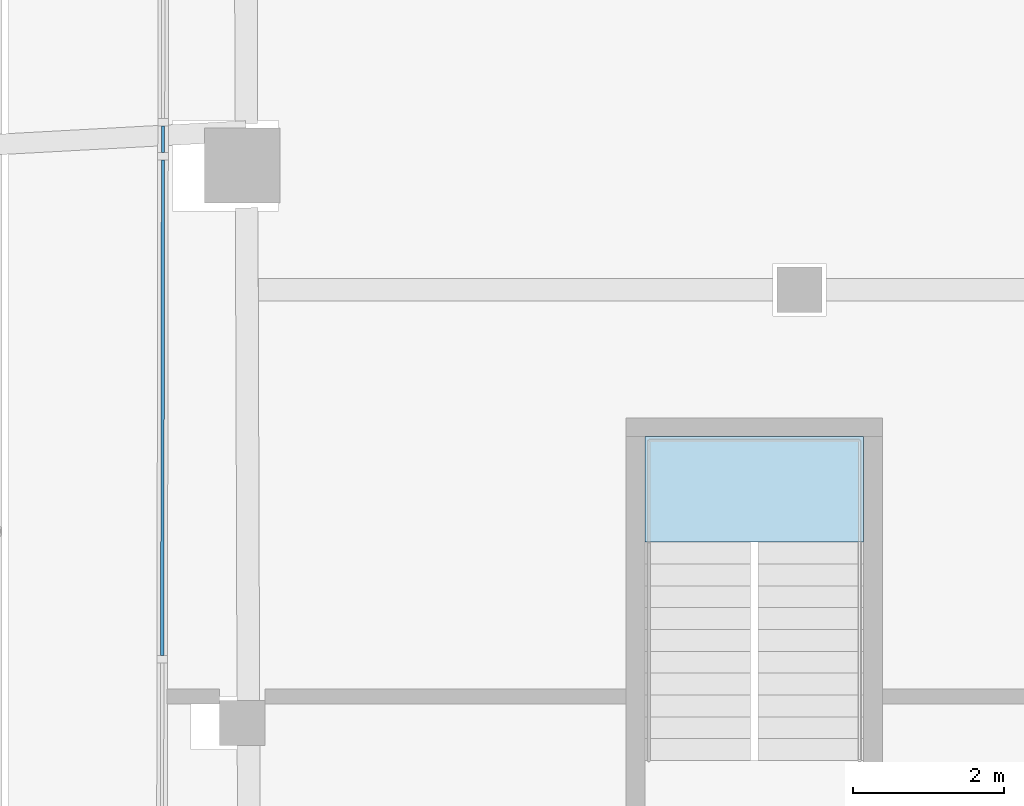
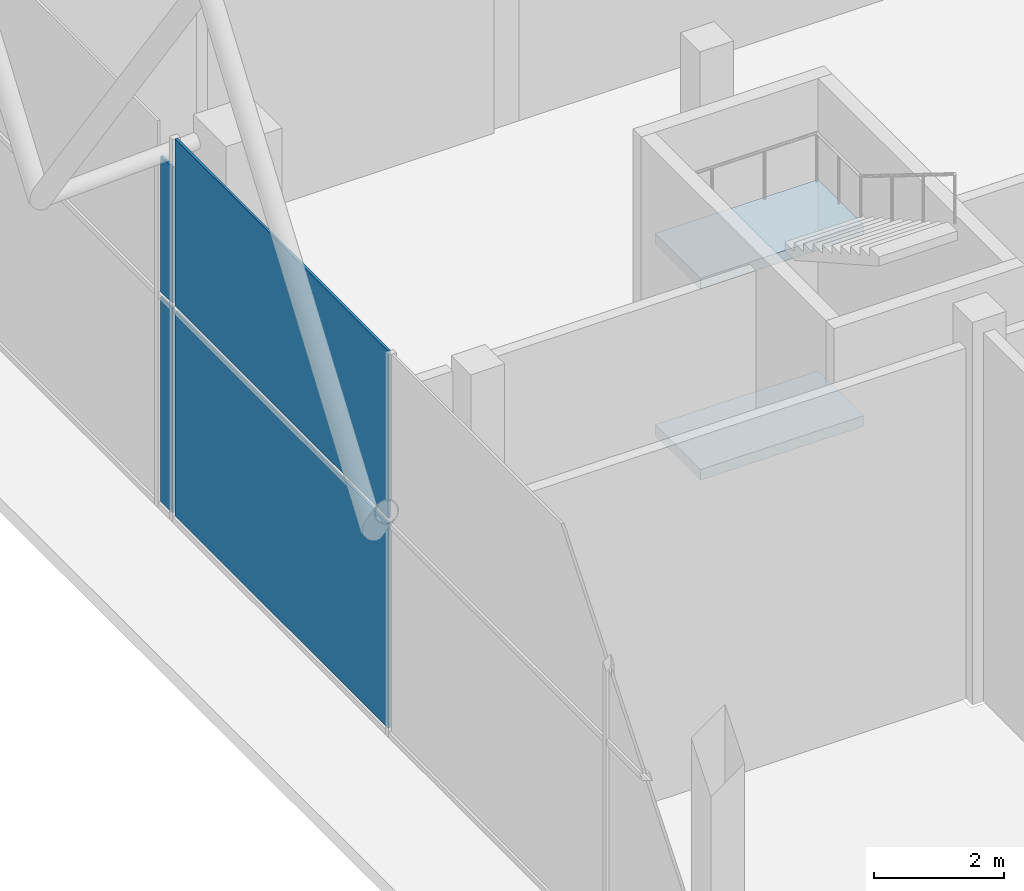
# One storey, part 13 of 25: 4 plates, 2 slabs, 3 elements without a shape of their own.
"""IFC4 building model written with IfcOpenShell, lengths in metres."""

import ifcopenshell
import ifcopenshell.guid

model = None  # the IFC model being written
_history = None  # IfcOwnerHistory: only IFC2X3 demands one
_inside = {}  # id of a spatial element -> (the spatial element, [elements in it])
_under = {}  # id of a project, library or spatial element -> (it, [spatial elements below it])
_declared = {}  # id of a project -> (the project, [libraries it declares])
_typed = {}  # id of a type object -> (the type object, [elements of that type])
_made_of = {}  # id of a material, layer set ... -> (it, [elements and type objects made of it])


def new_model(schema):
    """Start an empty IFC model of exactly this schema.

    Asked for "IFC4X3", IfcOpenShell would pick the latest addendum, in which some entities
    have other attributes; the version numbers below select the first issue.
    IFC2X3 requires an IfcOwnerHistory on every rooted entity: one is made here for all.
    """
    global model, _history
    if schema == "IFC4X3":
        model = ifcopenshell.file(schema_version=(4, 3, 0, 0))
    else:
        model = ifcopenshell.file(schema=schema)
    _inside.clear()
    _under.clear()
    _declared.clear()
    _typed.clear()
    _made_of.clear()
    _history = None
    if model.schema == "IFC2X3":
        org = make("IfcOrganization", Name="unknown")
        user = make(
            "IfcPersonAndOrganization",
            ThePerson=make("IfcPerson", FamilyName="unknown"),
            TheOrganization=org,
        )
        app = make(
            "IfcApplication",
            ApplicationDeveloper=org,
            Version="unknown",
            ApplicationFullName="unknown",
            ApplicationIdentifier="unknown",
        )
        _history = make(
            "IfcOwnerHistory",
            OwningUser=user,
            OwningApplication=app,
            ChangeAction="ADDED",
            CreationDate=0,
        )
    return model


def make(cls, **values):
    """One entity of the class cls with the attributes given. An attribute that is None is left unset."""
    return model.create_entity(
        cls, **{name: value for name, value in values.items() if value is not None}
    )


def rooted(cls, **values):
    """An entity with a GlobalId (a new one), such as an element, a storey or a relation."""
    return make(cls, GlobalId=ifcopenshell.guid.new(), OwnerHistory=_history, **values)


def si_unit(unit_type, name, prefix=None):
    """IfcSIUnit, for example si_unit("LENGTHUNIT", "METRE", prefix="MILLI")."""
    return make("IfcSIUnit", UnitType=unit_type, Prefix=prefix, Name=name)


def assignment(units):
    """IfcUnitAssignment: the units of a project."""
    return None if units is None else make("IfcUnitAssignment", Units=units)


def point(xyz):
    """IfcCartesianPoint."""
    return None if xyz is None else make("IfcCartesianPoint", Coordinates=xyz)


def direction(xyz):
    """IfcDirection."""
    return None if xyz is None else make("IfcDirection", DirectionRatios=xyz)


def frame(location, z_axis=None, x_axis=None):
    """IfcAxis2Placement3D, a coordinate frame: its origin and axes. An axis left out is left unset."""
    return make(
        "IfcAxis2Placement3D",
        Location=point(location),
        Axis=direction(z_axis),
        RefDirection=direction(x_axis),
    )


def frame_2d(location, x_axis=None):
    """IfcAxis2Placement2D, a coordinate frame in the plane: its origin and x axis."""
    return make(
        "IfcAxis2Placement2D", Location=point(location), RefDirection=direction(x_axis)
    )


def origin():
    """The frame at (0, 0, 0) with its axes left unset."""
    return frame((0.0, 0.0, 0.0))


def origin_2d():
    """The frame at (0, 0) in the plane with its x axis left unset."""
    return frame_2d((0.0, 0.0))


def place(relative_to, where):
    """IfcLocalPlacement: puts the frame where relative to a parent placement (None: the world)."""
    return make(
        "IfcLocalPlacement", PlacementRelTo=relative_to, RelativePlacement=where
    )


def context(
    kind, dimensions, precision=None, world=None, true_north=None, identifier=None
):
    """IfcGeometricRepresentationContext, for example the 3D "Model" context."""
    return make(
        "IfcGeometricRepresentationContext",
        ContextIdentifier=identifier,
        ContextType=kind,
        CoordinateSpaceDimension=dimensions,
        Precision=precision,
        WorldCoordinateSystem=world,
        TrueNorth=true_north,
    )


def subcontext(parent, identifier, kind, view, scale=None):
    """IfcGeometricRepresentationSubContext, for example "Body" below "Model"."""
    return make(
        "IfcGeometricRepresentationSubContext",
        ContextIdentifier=identifier,
        ContextType=kind,
        ParentContext=parent,
        TargetScale=scale,
        TargetView=view,
    )


def project(units=None, contexts=None):
    """IfcProject with its units and contexts."""
    return rooted(
        "IfcProject",
        Name="project",
        RepresentationContexts=contexts,
        UnitsInContext=assignment(units),
    )


def spatial(cls, under=None, at=None, **own):
    """A site, building, storey or space (cls), placed at a placement, below another one or the project."""
    s = rooted(cls, ObjectPlacement=at, **own)
    if under is not None:
        _under.setdefault(under.id(), (under, []))[1].append(s)
    return s


def polyline(points):
    """IfcPolyline through the points."""
    return make("IfcPolyline", Points=[point(p) for p in points])


def profile(cls, at=None, kind="AREA", **sizes):
    """A parametric profile (cls). Its sizes go by their IFC names, for example OverallWidth=200.0."""
    return make(cls, ProfileType=kind, Position=at, **sizes)


def rectangle(**sizes):
    """IfcRectangleProfileDef."""
    return profile("IfcRectangleProfileDef", **sizes)


def outline(outer, holes=None, kind="AREA"):
    """IfcArbitraryClosedProfileDef: a profile drawn as a closed curve; with holes, ...WithVoids."""
    if holes is None:
        return make("IfcArbitraryClosedProfileDef", ProfileType=kind, OuterCurve=outer)
    return make(
        "IfcArbitraryProfileDefWithVoids",
        ProfileType=kind,
        OuterCurve=outer,
        InnerCurves=holes,
    )


def extrude(swept, where, along, depth):
    """IfcExtrudedAreaSolid: the profile swept, set in the frame where, extruded along a direction by depth."""
    return make(
        "IfcExtrudedAreaSolid",
        SweptArea=swept,
        Position=where,
        ExtrudedDirection=direction(along),
        Depth=depth,
    )


def shape(context_of_items, identifier, shape_type, items):
    """IfcShapeRepresentation: the items that make up one representation, for example the "Body"."""
    return make(
        "IfcShapeRepresentation",
        ContextOfItems=context_of_items,
        RepresentationIdentifier=identifier,
        RepresentationType=shape_type,
        Items=items,
    )


def material(Name=None, Category=None):
    """IfcMaterial."""
    return make("IfcMaterial", Name=Name, Category=Category)


def layer(
    of_material, thickness, ventilated=None, Name=None, Category=None, Priority=None
):
    """IfcMaterialLayer: one layer of a wall or slab, of a material (None: an air gap)."""
    return make(
        "IfcMaterialLayer",
        Material=of_material,
        LayerThickness=thickness,
        IsVentilated=ventilated,
        Name=Name,
        Category=Category,
        Priority=Priority,
    )


def layer_set(layers, Name=None):
    """IfcMaterialLayerSet."""
    return make("IfcMaterialLayerSet", MaterialLayers=layers, LayerSetName=Name)


def made_of(thing, what):
    """Note that an element or type object is made of a material, layer set ...; save() writes the relation."""
    if what is not None:
        _made_of.setdefault(what.id(), (what, []))[1].append(thing)
    return thing


def type_object(cls, material=None, **own):
    """A type object (cls), such as IfcWallType, which elements share."""
    return made_of(rooted(cls, **own), material)


def element(
    cls,
    number,
    at=None,
    inside=None,
    cuts=None,
    type_object=None,
    material=None,
    context=None,
    identifier="Body",
    shape_type=None,
    held_by="IfcProductDefinitionShape",
    body=None,
    shapes=None,
    **own,
):
    """One element of the class cls, such as IfcWall. Its Tag is "e" and its number.

    at: its placement. inside: the storey or other place that contains it. cuts: it is an
    opening in that element (IfcRelVoidsElement). A single representation is given by context,
    identifier, shape_type and body (its items); several are given by shapes. held_by: the class
    of the entity that holds the representations. save() writes the other relations.
    """
    e = rooted(cls, Tag="e%d" % number, ObjectPlacement=at, **own)
    if body is not None:
        shapes = [shape(context, identifier, shape_type, body)]
    if shapes is not None:
        e.Representation = make(held_by, Representations=shapes)
    if inside is not None:
        _inside.setdefault(inside.id(), (inside, []))[1].append(e)
    if cuts is not None:
        rooted(
            "IfcRelVoidsElement", RelatingBuildingElement=cuts, RelatedOpeningElement=e
        )
    if type_object is not None:
        _typed.setdefault(type_object.id(), (type_object, []))[1].append(e)
    return made_of(e, material)


def aggregate(whole, parts):
    """IfcRelAggregates: a whole, such as a stair, and the parts it consists of."""
    return rooted("IfcRelAggregates", RelatingObject=whole, RelatedObjects=parts)


def save(model, path):
    """Write the relations noted so far, then the file.

    IfcRelAggregates (storeys below a building ...), IfcRelContainedInSpatialStructure (elements
    in a storey), IfcRelDefinesByType, IfcRelAssociatesMaterial and IfcRelDeclares: one each for
    every whole, place, type object, material and project.
    """
    for whole, parts in _under.values():
        aggregate(whole, parts)
    for where, things in _inside.values():
        rooted(
            "IfcRelContainedInSpatialStructure",
            RelatedElements=things,
            RelatingStructure=where,
        )
    for kind, things in _typed.values():
        rooted("IfcRelDefinesByType", RelatedObjects=things, RelatingType=kind)
    for what, things in _made_of.values():
        rooted("IfcRelAssociatesMaterial", RelatedObjects=things, RelatingMaterial=what)
    for by, libraries in _declared.values():
        rooted("IfcRelDeclares", RelatingContext=by, RelatedDefinitions=libraries)
    model.write(path)


model = new_model("IFC4")

# Units and contexts
model_context = context("Model", 3, precision=1e-05, world=origin(), true_north=direction((0.0, 1.0)))
body_context = subcontext(model_context, "Body", "Model", "MODEL_VIEW")
ifc_project = project(units=[si_unit("LENGTHUNIT", "METRE"), si_unit("AREAUNIT", "SQUARE_METRE"), si_unit("VOLUMEUNIT", "CUBIC_METRE"), si_unit("PLANEANGLEUNIT", "RADIAN"), si_unit("MASSUNIT", "GRAM", prefix="KILO")], contexts=[model_context])

# Site, building, storey
site_placement = place(None, origin())
site = spatial("IfcSite", under=ifc_project, at=site_placement, CompositionType="ELEMENT")
building_placement = place(site_placement, origin())
building = spatial("IfcBuilding", under=site, at=building_placement, Name="Marenta Gate Hotel Tower", CompositionType="ELEMENT")
storey_placement = place(building_placement, frame((0.0, 0.0, 281.300048828125)))
storey = spatial("IfcBuildingStorey", under=building, at=storey_placement, Name="L65", CompositionType="ELEMENT", Elevation=281.300048828125)

# Curtain wall, plates
ifc_material_1 = material(Name="Tinted insulated glass in bronze anodised frame", Category="glass")
ifc_layer_1 = layer(ifc_material_1, 0.139892578125)
ifc_layer_set_1 = layer_set([ifc_layer_1], Name="Tinted insulated glass in bronze anodised frame")
curtain_wall_type = type_object("IfcCurtainWallType", Name="Observation deck structural glazing CW3", PredefinedType="NOTDEFINED", material=ifc_layer_set_1)
curtain_wall_1_placement = place(storey_placement, origin())
curtain_wall_1 = element("IfcCurtainWall", 1, at=curtain_wall_1_placement, inside=storey, type_object=curtain_wall_type, Name="CW3 run G08", PredefinedType="NOTDEFINED")
ifc_material_2 = material(Name="Tinted insulated glass", Category="glass")
ifc_layer_2 = layer(ifc_material_2, 0.0439453125)
ifc_layer_set_2 = layer_set([ifc_layer_2], Name="Tinted insulated glass")
plate_type = type_object("IfcPlateType", Name="Glass panel CW3 44 mm tinted insulated unit", PredefinedType="CURTAIN_PANEL", material=ifc_layer_set_2)
plate_1_placement = place(storey_placement, frame((-21.05078125, -6.400390625, 0.099853515625), z_axis=(0.0, 0.0, 1.0), x_axis=(-0.001542867898, -0.999998809779, 0.0)))
plate_1 = element("IfcPlate", 2, at=plate_1_placement, type_object=plate_type, Name="CW3 panel 1.1", PredefinedType="CURTAIN_PANEL", context=body_context, shape_type="SweptSolid", body=[
    extrude(rectangle(XDim=0.353759765625, YDim=0.0439453125, at=origin_2d()), origin(), (0.0, 0.0, 1.0), 3.85009765625),
])
plate_2_placement = place(storey_placement, frame((-21.05078125, -6.400390625, 4.0498046875), z_axis=(0.0, 0.0, 1.0), x_axis=(-0.001542867898, -0.999998809779, 0.0)))
plate_2 = element("IfcPlate", 3, at=plate_2_placement, type_object=plate_type, Name="CW3 panel 1.2", PredefinedType="CURTAIN_PANEL", context=body_context, shape_type="SweptSolid", body=[
    extrude(rectangle(XDim=0.353759765625, YDim=0.0439453125, at=origin_2d()), origin(), (0.0, 0.0, 1.0), 2.550537109375),
])
aggregate(curtain_wall_1, [plate_1, plate_2])

curtain_wall_2_placement = place(storey_placement, origin())
curtain_wall_2 = element("IfcCurtainWall", 4, at=curtain_wall_2_placement, inside=storey, type_object=curtain_wall_type, Name="CW3 run G09", PredefinedType="NOTDEFINED")
plate_3_placement = place(storey_placement, frame((-21.056396484375, -9.96728515625, 0.099853515625), z_axis=(0.0, 0.0, 1.0), x_axis=(-0.001565121588, -0.999998775196, 0.0)))
plate_3 = element("IfcPlate", 5, at=plate_3_placement, type_object=plate_type, Name="CW3 panel 1.1", PredefinedType="CURTAIN_PANEL", context=body_context, shape_type="SweptSolid", body=[
    extrude(rectangle(XDim=6.580078125, YDim=0.0439453125, at=origin_2d()), origin(), (0.0, 0.0, 1.0), 3.85009765625),
])
plate_4_placement = place(storey_placement, frame((-21.056396484375, -9.96728515625, 4.050048828125), z_axis=(0.0, 0.0, 1.0), x_axis=(-0.001565121588, -0.999998775196, 0.0)))
plate_4 = element("IfcPlate", 6, at=plate_4_placement, type_object=plate_type, Name="CW3 panel 1.2", PredefinedType="CURTAIN_PANEL", context=body_context, shape_type="SweptSolid", body=[
    extrude(rectangle(XDim=6.580078125, YDim=0.0439453125, at=origin_2d()), origin(), (0.0, 0.0, 1.0), 3.14990234375),
])
aggregate(curtain_wall_2, [plate_3, plate_4])

# Stair, slabs
ifc_material_3 = material(Name="Concrete C40", Category="concrete")
stair_type = type_object("IfcStairType", Name="Remote exit stair 1400 wide", PredefinedType="HALF_TURN_STAIR", material=ifc_material_3)
stair_placement = place(storey_placement, origin())
stair = element("IfcStair", 7, at=stair_placement, inside=storey, type_object=stair_type, Name="Exit stair RS-Z4-2", PredefinedType="HALF_TURN_STAIR")
ifc_material_4 = material(Name="Concrete C40", Category="concrete")
ifc_layer_3 = layer(ifc_material_4, 0.199951171875)
ifc_layer_set_3 = layer_set([ifc_layer_3], Name="Concrete C40")
slab_type = type_object("IfcSlabType", Name="Remote stair landing 200", PredefinedType="LANDING", material=ifc_layer_set_3)
slab_1_placement = place(storey_placement, frame((0.0, 0.0, 1.599853515625)))
slab_1 = element("IfcSlab", 8, at=slab_1_placement, type_object=slab_type, Name="RL-200 RS-Z4-2 landing 1", PredefinedType="LANDING", context=body_context, shape_type="SweptSolid", body=[
    extrude(outline(polyline([(-14.64990234375, -11.75), (-11.75, -11.75), (-11.75, -10.35009765625), (-14.64990234375, -10.35009765625), (-14.64990234375, -11.75)])), origin(), (0.0, 0.0, 1.0), 0.2001953125),
])
slab_2_placement = place(storey_placement, frame((0.0, 0.0, 5.199951171875)))
slab_2 = element("IfcSlab", 9, at=slab_2_placement, type_object=slab_type, Name="RL-200 RS-Z4-2 landing 3", PredefinedType="LANDING", context=body_context, shape_type="SweptSolid", body=[
    extrude(outline(polyline([(-14.64990234375, -11.75), (-11.75, -11.75), (-11.75, -10.35009765625), (-14.64990234375, -10.35009765625), (-14.64990234375, -11.75)])), origin(), (0.0, 0.0, 1.0), 0.199951171875),
])
aggregate(stair, [slab_1, slab_2])

save(model, "model.ifc")
